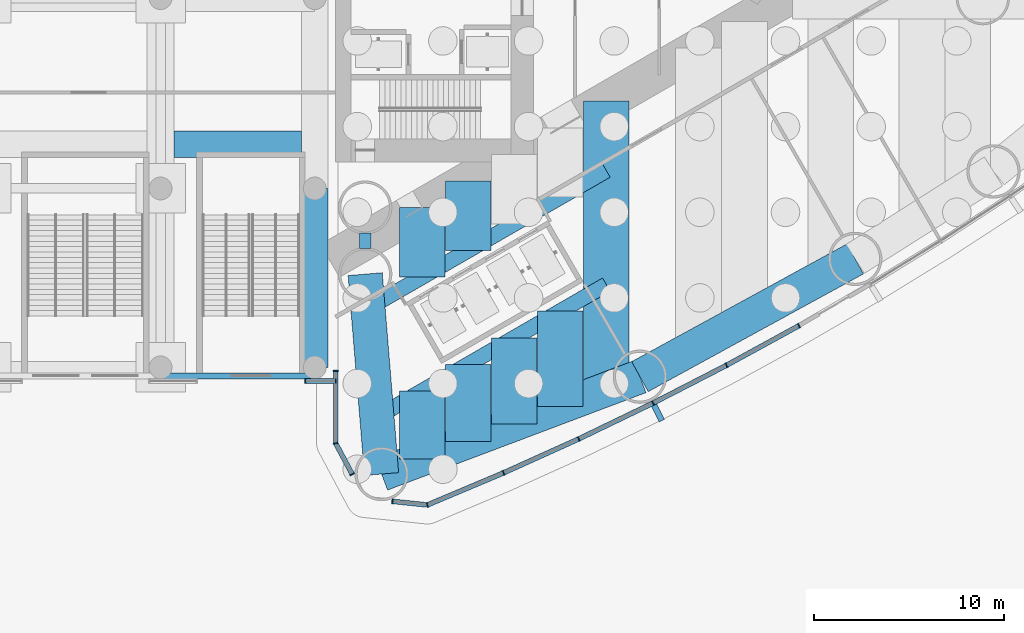
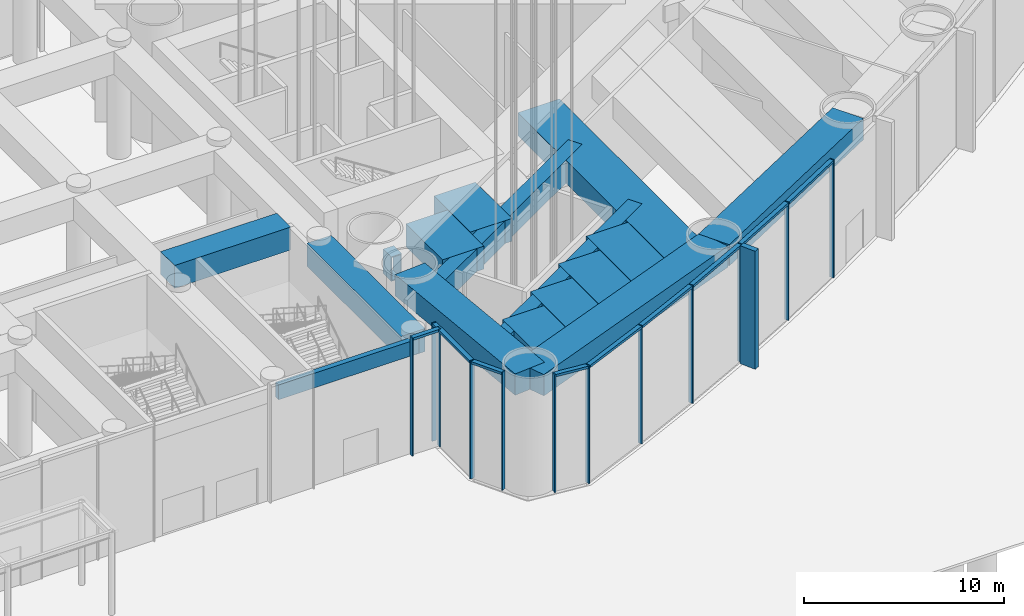
# One storey, part 12 of 43: 22 members, 16 beams, 3 elements without a shape of their own.
"""IFC4 building model written with IfcOpenShell, lengths in metres."""

from ifc_helpers import new_model, si_unit, direction, frame, origin, origin_2d, place, context, subcontext, project, spatial, rectangle, hollow_rectangle, extrude, material, material_profile, profile_set, type_object, element, aggregate, save


model = new_model("IFC4")

# Units and contexts
model_context = context("Model", 3, precision=1e-05, world=origin(), true_north=direction((0.0, 1.0)))
body_context = subcontext(model_context, "Body", "Model", "MODEL_VIEW")
ifc_project = project(units=[si_unit("LENGTHUNIT", "METRE"), si_unit("AREAUNIT", "SQUARE_METRE"), si_unit("VOLUMEUNIT", "CUBIC_METRE"), si_unit("PLANEANGLEUNIT", "RADIAN"), si_unit("MASSUNIT", "GRAM", prefix="KILO")], contexts=[model_context])

# Site, building, storey
site_placement = place(None, origin())
site = spatial("IfcSite", under=ifc_project, at=site_placement, CompositionType="ELEMENT")
building_placement = place(site_placement, origin())
building = spatial("IfcBuilding", under=site, at=building_placement, Name="Lancet Gate Hotel", CompositionType="ELEMENT")
storey_placement = place(building_placement, origin())
storey = spatial("IfcBuildingStorey", under=building, at=storey_placement, Name="L00", CompositionType="ELEMENT", Elevation=0.0)

# Curtain wall, members
ifc_material_1 = material(Name="Aluminium curtain wall", Category="aluminium")
curtain_wall_type = type_object("IfcCurtainWallType", Name="Podium curtain wall", PredefinedType="USERDEFINED", material=ifc_material_1)
curtain_wall_1_placement = place(storey_placement, origin())
curtain_wall_1 = element("IfcCurtainWall", 1, at=curtain_wall_1_placement, inside=storey, type_object=curtain_wall_type, Name="T2 L00 curtain wall 1", ObjectType="UNITISED CURTAIN WALL", PredefinedType="USERDEFINED")
ifc_material_2 = material(Name="Aluminium mullion", Category="aluminium")
ifc_material_profile_1 = material_profile(ifc_material_2, rectangle(XDim=0.06494140625, YDim=0.25, at=origin_2d()), Name="MULLION 65x250")
ifc_profile_set_1 = profile_set([ifc_material_profile_1], Name="Aluminium mullion")
member_type_1 = type_object("IfcMemberType", Name="Aluminium mullion 65x250", PredefinedType="MULLION", material=ifc_profile_set_1)
member_1_placement = place(storey_placement, frame((27.5, -19.588623046875, 0.0), z_axis=(0.0, 0.0, 1.0), x_axis=(0.0, -1.0, 0.0)))
member_1 = element("IfcMember", 2, at=member_1_placement, type_object=member_type_1, Name="T2 L00 curtain wall 1 mullion 1", PredefinedType="MULLION", context=body_context, shape_type="SweptSolid", body=[
    extrude(rectangle(XDim=0.06494140625, YDim=0.25, at=origin_2d()), origin(), (0.0, 0.0, 1.0), 7.199951171875),
])
member_2_placement = place(storey_placement, frame((27.5, -23.384765625, 0.0), z_axis=(0.0, 0.0, 1.0), x_axis=(0.157751691459, -0.987478811844, 0.0)))
member_2 = element("IfcMember", 3, at=member_2_placement, type_object=member_type_1, Name="T2 L00 curtain wall 1 mullion 2", PredefinedType="MULLION", context=body_context, shape_type="SweptSolid", body=[
    extrude(rectangle(XDim=0.06494140625, YDim=0.25, at=origin_2d()), origin(), (0.0, 0.0, 1.0), 7.199951171875),
])
member_3_placement = place(storey_placement, frame((28.366455078125, -25.012451171875, 0.0), z_axis=(0.0, 0.0, 1.0), x_axis=(0.469897827284, -0.882720811987, 0.0)))
member_3 = element("IfcMember", 4, at=member_3_placement, type_object=member_type_1, Name="T2 L00 curtain wall 1 mullion 3", PredefinedType="MULLION", context=body_context, shape_type="SweptSolid", body=[
    extrude(rectangle(XDim=0.06494140625, YDim=0.25, at=origin_2d()), origin(), (0.0, 0.0, 1.0), 7.199951171875),
])

curtain_wall_2_placement = place(storey_placement, origin())
curtain_wall_2 = element("IfcCurtainWall", 5, at=curtain_wall_2_placement, inside=storey, type_object=curtain_wall_type, Name="T2 L00 curtain wall 2", ObjectType="UNITISED CURTAIN WALL", PredefinedType="USERDEFINED")
member_4_placement = place(storey_placement, frame((30.48388671875, -26.4375, 0.0), z_axis=(0.0, 0.0, 1.0), x_axis=(0.994672262412, -0.10308778001, 0.0)))
member_4 = element("IfcMember", 6, at=member_4_placement, type_object=member_type_1, Name="T2 L00 curtain wall 2 mullion 1", PredefinedType="MULLION", context=body_context, shape_type="SweptSolid", body=[
    extrude(rectangle(XDim=0.06494140625, YDim=0.25, at=origin_2d()), origin(), (0.0, 0.0, 1.0), 7.199951171875),
])
member_5_placement = place(storey_placement, frame((32.3173828125, -26.62744140625, 0.0), z_axis=(0.0, 0.0, 1.0), x_axis=(0.968721492963, 0.248150496819, 0.0)))
member_5 = element("IfcMember", 7, at=member_5_placement, type_object=member_type_1, Name="T2 L00 curtain wall 2 mullion 2", PredefinedType="MULLION", context=body_context, shape_type="SweptSolid", body=[
    extrude(rectangle(XDim=0.06494140625, YDim=0.25, at=origin_2d()), origin(), (0.0, 0.0, 1.0), 7.199951171875),
])
member_6_placement = place(storey_placement, frame((36.31494140625, -24.943603515625, 0.0), z_axis=(0.0, 0.0, 1.0), x_axis=(0.916578705089, 0.399854320193, 0.0)))
member_6 = element("IfcMember", 8, at=member_6_placement, type_object=member_type_1, Name="T2 L00 curtain wall 2 mullion 3", PredefinedType="MULLION", context=body_context, shape_type="SweptSolid", body=[
    extrude(rectangle(XDim=0.06494140625, YDim=0.25, at=origin_2d()), origin(), (0.0, 0.0, 1.0), 7.199951171875),
])
member_7_placement = place(storey_placement, frame((40.2685546875, -23.15869140625, 0.0), z_axis=(0.0, 0.0, 1.0), x_axis=(0.906104948671, 0.423052977762, 0.0)))
member_7 = element("IfcMember", 9, at=member_7_placement, type_object=member_type_1, Name="T2 L00 curtain wall 2 mullion 4", PredefinedType="MULLION", context=body_context, shape_type="SweptSolid", body=[
    extrude(rectangle(XDim=0.06494140625, YDim=0.25, at=origin_2d()), origin(), (0.0, 0.0, 1.0), 7.199951171875),
])
member_8_placement = place(storey_placement, frame((44.17529296875, -21.273681640625, 0.0), z_axis=(0.0, 0.0, 1.0), x_axis=(0.895044147438, 0.445977548917, 0.0)))
member_8 = element("IfcMember", 10, at=member_8_placement, type_object=member_type_1, Name="T2 L00 curtain wall 2 mullion 5", PredefinedType="MULLION", context=body_context, shape_type="SweptSolid", body=[
    extrude(rectangle(XDim=0.06494140625, YDim=0.25, at=origin_2d()), origin(), (0.0, 0.0, 1.0), 7.199951171875),
])
member_9_placement = place(storey_placement, frame((48.03271484375, -19.2900390625, 0.0), z_axis=(0.0, 0.0, 1.0), x_axis=(0.88340346743, 0.468613181347, 0.0)))
member_9 = element("IfcMember", 11, at=member_9_placement, type_object=member_type_1, Name="T2 L00 curtain wall 2 mullion 6", PredefinedType="MULLION", context=body_context, shape_type="SweptSolid", body=[
    extrude(rectangle(XDim=0.06494140625, YDim=0.25, at=origin_2d()), origin(), (0.0, 0.0, 1.0), 7.199951171875),
])
member_10_placement = place(storey_placement, frame((51.838623046875, -17.208740234375, 0.0), z_axis=(0.0, 0.0, 1.0), x_axis=(0.877368015134, 0.47981805512, 0.0)))
member_10 = element("IfcMember", 12, at=member_10_placement, type_object=member_type_1, Name="T2 L00 curtain wall 2 mullion 7", PredefinedType="MULLION", context=body_context, shape_type="SweptSolid", body=[
    extrude(rectangle(XDim=0.06494140625, YDim=0.25, at=origin_2d()), origin(), (0.0, 0.0, 1.0), 7.199951171875),
])

curtain_wall_3_placement = place(storey_placement, origin())
curtain_wall_3 = element("IfcCurtainWall", 13, at=curtain_wall_3_placement, inside=storey, type_object=curtain_wall_type, Name="Podium L00 curtain wall S6", ObjectType="UNITISED CURTAIN WALL", PredefinedType="USERDEFINED")
member_11_placement = place(storey_placement, frame((25.89990234375, -20.1201171875, 0.0), z_axis=(0.0, 0.0, 1.0), x_axis=(1.0, 0.0, 0.0)))
member_11 = element("IfcMember", 14, at=member_11_placement, type_object=member_type_1, Name="Podium L00 curtain wall S6 mullion 1", PredefinedType="MULLION", context=body_context, shape_type="SweptSolid", body=[
    extrude(rectangle(XDim=0.06494140625, YDim=0.25, at=origin_2d()), origin(), (0.0, 0.0, 1.0), 7.199951171875),
])
member_12_placement = place(storey_placement, frame((27.5, -20.1201171875, 0.0), z_axis=(0.0, 0.0, 1.0), x_axis=(1.0, 0.0, 0.0)))
member_12 = element("IfcMember", 15, at=member_12_placement, type_object=member_type_1, Name="Podium L00 curtain wall S6 mullion 2", PredefinedType="MULLION", context=body_context, shape_type="SweptSolid", body=[
    extrude(rectangle(XDim=0.06494140625, YDim=0.25, at=origin_2d()), origin(), (0.0, 0.0, 1.0), 7.199951171875),
])

# Member
ifc_material_3 = material(Name="Aluminium transom", Category="aluminium")
ifc_material_profile_2 = material_profile(ifc_material_3, rectangle(XDim=0.25, YDim=0.14990234375, at=origin_2d()), Name="TRANSOM 250x150")
ifc_profile_set_2 = profile_set([ifc_material_profile_2], Name="Aluminium transom")
member_type_2 = type_object("IfcMemberType", Name="Aluminium transom 250x150", PredefinedType="USERDEFINED", material=ifc_profile_set_2)
member_13_placement = place(storey_placement, frame((27.5, -19.62109375, 7.125), z_axis=(0.0, -1.0, 0.0), x_axis=(1.0, 0.0, 0.0)))
member_13 = element("IfcMember", 16, at=member_13_placement, type_object=member_type_2, Name="T2 L00 curtain wall 1 transom 1", ObjectType="TRANSOM", PredefinedType="USERDEFINED", context=body_context, shape_type="SweptSolid", body=[
    extrude(rectangle(XDim=0.25, YDim=0.14990234375, at=origin_2d()), origin(), (0.0, 0.0, 1.0), 3.731201171875),
])

member_14_placement = place(storey_placement, frame((27.515380859375, -23.41357421875, 7.125), z_axis=(0.469904276347, -0.882717378933, 0.0), x_axis=(0.882717378933, 0.469904276347, 0.0)))
member_14 = element("IfcMember", 17, at=member_14_placement, type_object=member_type_2, Name="T2 L00 curtain wall 1 transom 2", ObjectType="TRANSOM", PredefinedType="USERDEFINED", context=body_context, shape_type="SweptSolid", body=[
    extrude(rectangle(XDim=0.25, YDim=0.14990234375, at=origin_2d()), origin(), (0.0, 0.0, 1.0), 1.779052734375),
])

aggregate(curtain_wall_1, [member_1, member_2, member_3, member_13, member_14])

member_15_placement = place(storey_placement, frame((30.516357421875, -26.440673828125, 7.125), z_axis=(0.994670452051, -0.103105246306, 0.0), x_axis=(0.103105246306, 0.994670452051, 0.0)))
member_15 = element("IfcMember", 18, at=member_15_placement, type_object=member_type_2, Name="T2 L00 curtain wall 2 transom 1", ObjectType="TRANSOM", PredefinedType="USERDEFINED", context=body_context, shape_type="SweptSolid", body=[
    extrude(rectangle(XDim=0.25, YDim=0.14990234375, at=origin_2d()), origin(), (0.0, 0.0, 1.0), 1.7783203125),
])

member_16_placement = place(storey_placement, frame((32.347412109375, -26.61474609375, 7.125), z_axis=(0.92159772617, 0.388146404233, 0.0), x_axis=(-0.388146404233, 0.92159772617, 0.0)))
member_16 = element("IfcMember", 19, at=member_16_placement, type_object=member_type_2, Name="T2 L00 curtain wall 2 transom 2", ObjectType="TRANSOM", PredefinedType="USERDEFINED", context=body_context, shape_type="SweptSolid", body=[
    extrude(rectangle(XDim=0.25, YDim=0.14990234375, at=origin_2d()), origin(), (0.0, 0.0, 1.0), 4.272705078125),
])

member_17_placement = place(storey_placement, frame((36.3447265625, -24.930419921875, 7.125), z_axis=(0.911396871737, 0.411528543589, 0.0), x_axis=(-0.411528543589, 0.911396871737, 0.0)))
member_17 = element("IfcMember", 20, at=member_17_placement, type_object=member_type_2, Name="T2 L00 curtain wall 2 transom 3", ObjectType="TRANSOM", PredefinedType="USERDEFINED", context=body_context, shape_type="SweptSolid", body=[
    extrude(rectangle(XDim=0.25, YDim=0.14990234375, at=origin_2d()), origin(), (0.0, 0.0, 1.0), 4.272705078125),
])

member_18_placement = place(storey_placement, frame((40.2978515625, -23.14453125, 7.125), z_axis=(0.900646499888, 0.434552508035, 0.0), x_axis=(-0.434552508035, 0.900646499888, 0.0)))
member_18 = element("IfcMember", 21, at=member_18_placement, type_object=member_type_2, Name="T2 L00 curtain wall 2 transom 4", ObjectType="TRANSOM", PredefinedType="USERDEFINED", context=body_context, shape_type="SweptSolid", body=[
    extrude(rectangle(XDim=0.25, YDim=0.14990234375, at=origin_2d()), origin(), (0.0, 0.0, 1.0), 4.272705078125),
])

member_19_placement = place(storey_placement, frame((44.2041015625, -21.259033203125, 7.125), z_axis=(0.88929576978, 0.457332520002, 0.0), x_axis=(-0.457332520002, 0.88929576978, 0.0)))
member_19 = element("IfcMember", 22, at=member_19_placement, type_object=member_type_2, Name="T2 L00 curtain wall 2 transom 5", ObjectType="TRANSOM", PredefinedType="USERDEFINED", context=body_context, shape_type="SweptSolid", body=[
    extrude(rectangle(XDim=0.25, YDim=0.14990234375, at=origin_2d()), origin(), (0.0, 0.0, 1.0), 4.272705078125),
])

member_20_placement = place(storey_placement, frame((48.061279296875, -19.2744140625, 7.125), z_axis=(0.877377528879, 0.479800658417, 0.0), x_axis=(-0.479800658417, 0.877377528879, 0.0)))
member_20 = element("IfcMember", 23, at=member_20_placement, type_object=member_type_2, Name="T2 L00 curtain wall 2 transom 6", ObjectType="TRANSOM", PredefinedType="USERDEFINED", context=body_context, shape_type="SweptSolid", body=[
    extrude(rectangle(XDim=0.25, YDim=0.14990234375, at=origin_2d()), origin(), (0.0, 0.0, 1.0), 4.272705078125),
])

member_21_placement = place(storey_placement, frame((25.9326171875, -20.1201171875, 7.125), z_axis=(1.0, 0.0, 0.0), x_axis=(0.0, 1.0, 0.0)))
member_21 = element("IfcMember", 24, at=member_21_placement, type_object=member_type_2, Name="Podium L00 curtain wall S6 transom 1", ObjectType="TRANSOM", PredefinedType="USERDEFINED", context=body_context, shape_type="SweptSolid", body=[
    extrude(rectangle(XDim=0.25, YDim=0.14990234375, at=origin_2d()), origin(), (0.0, 0.0, 1.0), 1.534912109375),
])

aggregate(curtain_wall_3, [member_11, member_12, member_21])

# Beams
ifc_material_4 = material(Name="Concrete C50/60", Category="concrete")
ifc_material_profile_3 = material_profile(ifc_material_4, rectangle(XDim=1.800048828125, YDim=1.300048828125, at=origin_2d()), Name="RC 1800x1300")
ifc_profile_set_3 = profile_set([ifc_material_profile_3], Name="Concrete C50/60")
beam_type_1 = type_object("IfcBeamType", Name="Edge beam RC 1800x1300", PredefinedType="SPANDREL", material=ifc_profile_set_3)
beam_1_placement = place(storey_placement, frame((29.9111328125, -25.00244140625, 6.199951171875), z_axis=(0.935736448066, 0.352700013836, 0.0), x_axis=(-0.352700013836, 0.935736448066, 0.0)))
element("IfcBeam", 25, at=beam_1_placement, inside=storey, type_object=beam_type_1, Name="T2 edge beam EB1 L00", PredefinedType="SPANDREL", context=body_context, shape_type="SweptSolid", body=[
    extrude(rectangle(XDim=1.800048828125, YDim=1.300048828125, at=origin_2d()), origin(), (0.0, 0.0, 1.0), 14.505126953125),
])
beam_2_placement = place(storey_placement, frame((43.484130859375, -19.886474609375, 6.199951171875), z_axis=(0.87736889738, 0.479816441893, 0.0), x_axis=(-0.479816441893, 0.87736889738, 0.0)))
element("IfcBeam", 26, at=beam_2_placement, inside=storey, type_object=beam_type_1, Name="T2 edge beam EB1 L00", PredefinedType="SPANDREL", context=body_context, shape_type="SweptSolid", body=[
    extrude(rectangle(XDim=1.800048828125, YDim=1.300048828125, at=origin_2d()), origin(), (0.0, 0.0, 1.0), 12.89208984375),
])
beam_3_placement = place(storey_placement, frame((29.9111328125, -25.00244140625, 6.199951171875), z_axis=(-0.081714744052, 0.996655758326, 0.0), x_axis=(-0.996655758326, -0.081714744052, 0.0)))
element("IfcBeam", 27, at=beam_3_placement, inside=storey, type_object=beam_type_1, Name="T2 edge beam EB1 L00", PredefinedType="SPANDREL", context=body_context, shape_type="SweptSolid", body=[
    extrude(rectangle(XDim=1.800048828125, YDim=1.300048828125, at=origin_2d()), origin(), (0.0, 0.0, 1.0), 10.53759765625),
])

# Member
ifc_material_5 = material(Name="Precast concrete C50/60", Category="concrete")
ifc_material_profile_4 = material_profile(ifc_material_5, rectangle(XDim=0.300048828125, YDim=0.89990234375, at=origin_2d()), Name="FIN 300x900")
ifc_profile_set_4 = profile_set([ifc_material_profile_4], Name="Precast concrete C50/60")
member_type_3 = type_object("IfcMemberType", Name="Exposed concrete fin 300x900", PredefinedType="USERDEFINED", material=ifc_profile_set_4)
member_22_placement = place(storey_placement, frame((44.431640625, -21.788330078125, 0.0), z_axis=(0.0, 0.0, 1.0), x_axis=(0.895044147438, 0.445977548917, 0.0)))
member_22 = element("IfcMember", 28, at=member_22_placement, type_object=member_type_3, Name="T2 L00 curtain wall 2 fin 5", ObjectType="FIN", PredefinedType="USERDEFINED", context=body_context, shape_type="SweptSolid", body=[
    extrude(rectangle(XDim=0.300048828125, YDim=0.89990234375, at=origin_2d()), origin(), (0.0, 0.0, 1.0), 7.199951171875),
])

aggregate(curtain_wall_2, [member_4, member_5, member_6, member_7, member_8, member_22, member_9, member_10, member_15, member_16, member_17, member_18, member_19, member_20])

# Beams
ifc_material_6 = material(Name="Concrete C50/60", Category="concrete")
ifc_material_profile_5 = material_profile(ifc_material_6, rectangle(XDim=2.39990234375, YDim=1.39990234375, at=origin_2d()), Name="RC 2400x1400")
ifc_profile_set_5 = profile_set([ifc_material_profile_5], Name="Concrete C50/60")
beam_type_2 = type_object("IfcBeamType", Name="Floor beam RC 2400x1400", PredefinedType="BEAM", material=ifc_profile_set_5)
beam_4_placement = place(storey_placement, frame((41.721435546875, -20.55078125, 6.14990234375), z_axis=(0.0, 1.0, 0.0), x_axis=(-1.0, 0.0, 0.0)))
element("IfcBeam", 29, at=beam_4_placement, inside=storey, type_object=beam_type_2, Name="T2 floor beam F11S L00", PredefinedType="BEAM", context=body_context, shape_type="SweptSolid", body=[
    extrude(rectangle(XDim=2.39990234375, YDim=1.39990234375, at=origin_2d()), origin(), (0.0, 0.0, 1.0), 15.134765625),
])
beam_5_placement = place(storey_placement, frame((32.04052734375, -24.199951171875, 6.14990234375), z_axis=(0.0, 1.0, 0.0), x_axis=(-1.0, 0.0, 0.0)))
element("IfcBeam", 30, at=beam_5_placement, inside=storey, type_object=beam_type_2, Name="T2 floor beam F03SA L00", PredefinedType="BEAM", context=body_context, shape_type="SweptSolid", body=[
    extrude(rectangle(XDim=2.39990234375, YDim=1.39990234375, at=origin_2d()), origin(), (0.0, 0.0, 1.0), 3.5615234375),
])
beam_6_placement = place(storey_placement, frame((32.04052734375, -14.65087890625, 6.14990234375), z_axis=(0.0, 1.0, 0.0), x_axis=(-1.0, 0.0, 0.0)))
element("IfcBeam", 31, at=beam_6_placement, inside=storey, type_object=beam_type_2, Name="T2 floor beam F03SB L00", PredefinedType="BEAM", context=body_context, shape_type="SweptSolid", body=[
    extrude(rectangle(XDim=2.39990234375, YDim=1.39990234375, at=origin_2d()), origin(), (0.0, 0.0, 1.0), 3.6455078125),
])
beam_7_placement = place(storey_placement, frame((34.460693359375, -23.28759765625, 6.14990234375), z_axis=(0.0, 1.0, 0.0), x_axis=(-1.0, 0.0, 0.0)))
element("IfcBeam", 32, at=beam_7_placement, inside=storey, type_object=beam_type_2, Name="T2 floor beam F05SA L00", PredefinedType="BEAM", context=body_context, shape_type="SweptSolid", body=[
    extrude(rectangle(XDim=2.39990234375, YDim=1.39990234375, at=origin_2d()), origin(), (0.0, 0.0, 1.0), 4.04638671875),
])
beam_8_placement = place(storey_placement, frame((34.460693359375, -13.253662109375, 6.14990234375), z_axis=(0.0, 1.0, 0.0), x_axis=(-1.0, 0.0, 0.0)))
element("IfcBeam", 33, at=beam_8_placement, inside=storey, type_object=beam_type_2, Name="T2 floor beam F05SB L00", PredefinedType="BEAM", context=body_context, shape_type="SweptSolid", body=[
    extrude(rectangle(XDim=2.39990234375, YDim=1.39990234375, at=origin_2d()), origin(), (0.0, 0.0, 1.0), 3.645751953125),
])
beam_9_placement = place(storey_placement, frame((36.880859375, -22.37548828125, 6.14990234375), z_axis=(0.0, 1.0, 0.0), x_axis=(-1.0, 0.0, 0.0)))
element("IfcBeam", 34, at=beam_9_placement, inside=storey, type_object=beam_type_2, Name="T2 floor beam F07SA L00", PredefinedType="BEAM", context=body_context, shape_type="SweptSolid", body=[
    extrude(rectangle(XDim=2.39990234375, YDim=1.39990234375, at=origin_2d()), origin(), (0.0, 0.0, 1.0), 4.53173828125),
])
beam_10_placement = place(storey_placement, frame((39.301025390625, -21.463134765625, 6.14990234375), z_axis=(0.0, 1.0, 0.0), x_axis=(-1.0, 0.0, 0.0)))
element("IfcBeam", 35, at=beam_10_placement, inside=storey, type_object=beam_type_2, Name="T2 floor beam F09SA L00", PredefinedType="BEAM", context=body_context, shape_type="SweptSolid", body=[
    extrude(rectangle(XDim=2.39990234375, YDim=1.39990234375, at=origin_2d()), origin(), (0.0, 0.0, 1.0), 5.0166015625),
])
ifc_material_7 = material(Name="Steel S460QL", Category="steel")
ifc_material_profile_6 = material_profile(ifc_material_7, hollow_rectangle(XDim=0.60009765625, YDim=1.5, WallThickness=0.050048828125, at=origin_2d()), Name="BOX 1500x600x50")
ifc_profile_set_6 = profile_set([ifc_material_profile_6], Name="Steel S460QL")
beam_type_3 = type_object("IfcBeamType", Name="Inner-face link beam BOX 1500x600x50", PredefinedType="BEAM", material=ifc_profile_set_6)
beam_11_placement = place(storey_placement, frame((29.050048828125, -13.14990234375, 6.10009765625), z_axis=(0.0, 1.0, 0.0), x_axis=(-1.0, 0.0, 0.0)))
element("IfcBeam", 36, at=beam_11_placement, inside=storey, type_object=beam_type_3, Name="T2 inner-face link beam LK1 L00", PredefinedType="BEAM", context=body_context, shape_type="SweptSolid", body=[
    extrude(hollow_rectangle(XDim=0.60009765625, YDim=1.5, WallThickness=0.050048828125, at=origin_2d()), origin(), (0.0, 0.0, 1.0), 0.7998046875),
])
ifc_material_8 = material(Name="Concrete C50/60", Category="concrete")
ifc_material_profile_7 = material_profile(ifc_material_8, rectangle(XDim=1.39990234375, YDim=1.39990234375, at=origin_2d()), Name="RC 1400x1400")
ifc_profile_set_7 = profile_set([ifc_material_profile_7], Name="Concrete C50/60")
beam_type_4 = type_object("IfcBeamType", Name="Podium beam RC 1400x1400", PredefinedType="BEAM", material=ifc_profile_set_7)
beam_12_placement = place(storey_placement, frame((19.0, -7.679931640625, 6.14990234375), z_axis=(1.0, 0.0, 0.0), x_axis=(0.0, 1.0, 0.0)))
element("IfcBeam", 37, at=beam_12_placement, inside=storey, type_object=beam_type_4, Name="Podium trimmer beam PS5 L00", PredefinedType="BEAM", context=body_context, shape_type="SweptSolid", body=[
    extrude(rectangle(XDim=1.39990234375, YDim=1.39990234375, at=origin_2d()), origin(), (0.0, 0.0, 1.0), 6.699951171875),
])
beam_13_placement = place(storey_placement, frame((26.39990234375, -19.39990234375, 6.14990234375), z_axis=(0.0, 1.0, 0.0), x_axis=(-1.0, 0.0, 0.0)))
element("IfcBeam", 38, at=beam_13_placement, inside=storey, type_object=beam_type_4, Name="Podium beam 7/A-B L00", PredefinedType="BEAM", context=body_context, shape_type="SweptSolid", body=[
    extrude(rectangle(XDim=1.39990234375, YDim=1.39990234375, at=origin_2d()), origin(), (0.0, 0.0, 1.0), 9.39990234375),
])
ifc_material_9 = material(Name="Concrete C50/60", Category="concrete")
ifc_material_profile_8 = material_profile(ifc_material_9, rectangle(XDim=0.300048828125, YDim=0.89990234375, at=origin_2d()), Name="RC 300x900")
ifc_profile_set_8 = profile_set([ifc_material_profile_8], Name="Concrete C50/60")
beam_type_5 = type_object("IfcBeamType", Name="Podium stair edge beam RC 300x900", PredefinedType="BEAM", material=ifc_profile_set_8)
beam_14_placement = place(storey_placement, frame((18.300048828125, -19.85009765625, 6.39990234375), z_axis=(1.0, 0.0, 0.0), x_axis=(0.0, 1.0, 0.0)))
element("IfcBeam", 39, at=beam_14_placement, inside=storey, type_object=beam_type_5, Name="Podium beam A/6-7 L00", PredefinedType="BEAM", context=body_context, shape_type="SweptSolid", body=[
    extrude(rectangle(XDim=0.300048828125, YDim=0.89990234375, at=origin_2d()), origin(), (0.0, 0.0, 1.0), 8.099853515625),
])
ifc_material_10 = material(Name="Steel S460QL", Category="steel")
ifc_material_profile_9 = material_profile(ifc_material_10, hollow_rectangle(XDim=0.800048828125, YDim=1.39990234375, WallThickness=0.080078125, at=origin_2d()), Name="BOX 1400x800x80")
ifc_profile_set_9 = profile_set([ifc_material_profile_9], Name="Steel S460QL")
beam_type_6 = type_object("IfcBeamType", Name="Trimmer beam BOX 1400x800x80", PredefinedType="BEAM", material=ifc_profile_set_9)
beam_15_placement = place(storey_placement, frame((29.6201171875, -16.048095703125, 6.14990234375), z_axis=(0.866036909293, 0.499980071345, 0.0), x_axis=(-0.499980071345, 0.866036909293, 0.0)))
element("IfcBeam", 40, at=beam_15_placement, inside=storey, type_object=beam_type_6, Name="T2 trimmer beam TR01S L00", PredefinedType="BEAM", context=body_context, shape_type="SweptSolid", body=[
    extrude(hollow_rectangle(XDim=0.800048828125, YDim=1.39990234375, WallThickness=0.080078125, at=origin_2d()), origin(), (0.0, 0.0, 1.0), 13.97314453125),
])
beam_16_placement = place(storey_placement, frame((29.665771484375, -22.00927734375, 6.14990234375), z_axis=(0.866037222451, 0.499979528911, 0.0), x_axis=(-0.499979528911, 0.866037222451, 0.0)))
element("IfcBeam", 41, at=beam_16_placement, inside=storey, type_object=beam_type_6, Name="T2 trimmer beam TR02S L00", PredefinedType="BEAM", context=body_context, shape_type="SweptSolid", body=[
    extrude(hollow_rectangle(XDim=0.800048828125, YDim=1.39990234375, WallThickness=0.080078125, at=origin_2d()), origin(), (0.0, 0.0, 1.0), 13.92041015625),
])

save(model, "model.ifc")
